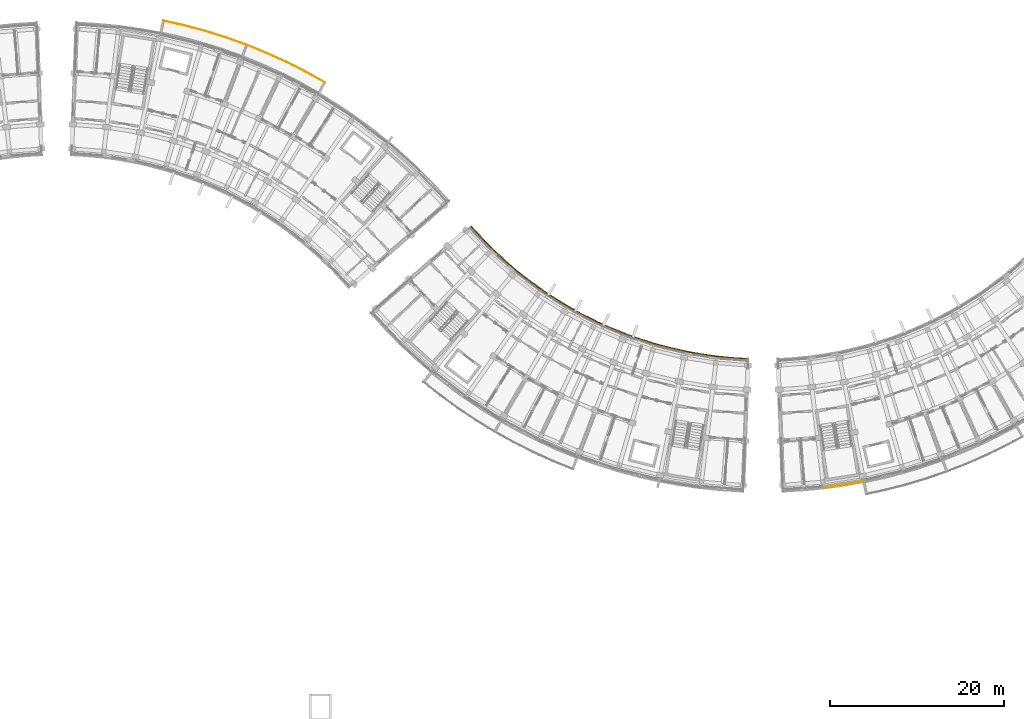
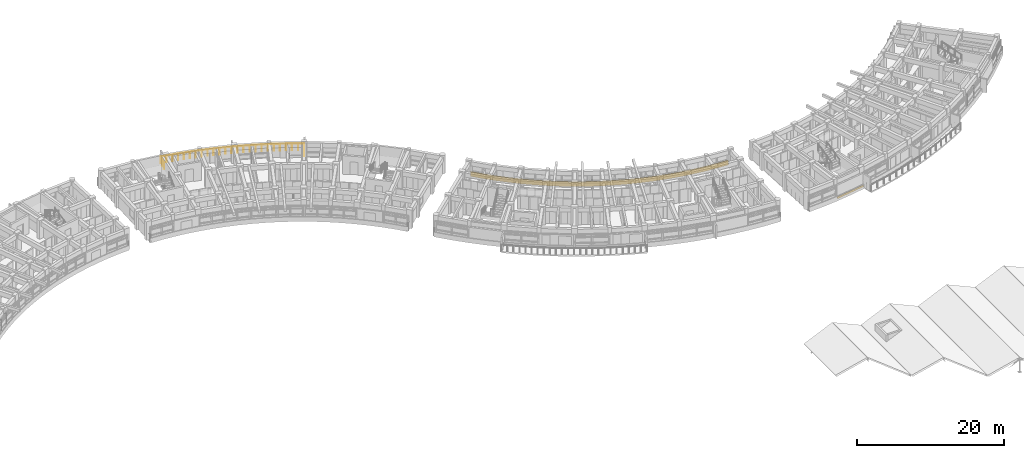
# One storey, part 67 of 70: 2 railings, 1 covering.
"""IFC4 building model written with IfcOpenShell, lengths in metres."""

from ifc_helpers import new_model, si_unit, direction, frame, origin, origin_2d, place, context, subcontext, project, spatial, polyline, rectangle, circle, outline, extrude, material, layer, layer_set, type_object, element, save


model = new_model("IFC4")

# Units and contexts
model_context = context("Model", 3, precision=1e-05, world=origin(), true_north=direction((0.0, 1.0)))
body_context = subcontext(model_context, "Body", "Model", "MODEL_VIEW")
ifc_project = project(units=[si_unit("LENGTHUNIT", "METRE"), si_unit("AREAUNIT", "SQUARE_METRE"), si_unit("VOLUMEUNIT", "CUBIC_METRE"), si_unit("PLANEANGLEUNIT", "RADIAN"), si_unit("MASSUNIT", "GRAM", prefix="KILO")], contexts=[model_context])

# Site, building, storey
site_placement = place(None, origin())
site = spatial("IfcSite", under=ifc_project, at=site_placement, CompositionType="ELEMENT")
building_placement = place(site_placement, origin())
building = spatial("IfcBuilding", under=site, at=building_placement, Name="Zimvara Arc Housing Community", CompositionType="ELEMENT")
storey_placement = place(building_placement, frame((0.0, 0.0, 8.10009765625)))
storey = spatial("IfcBuildingStorey", under=building, at=storey_placement, Name="L02", CompositionType="ELEMENT", Elevation=8.10009765625)

# Covering
ifc_material_1 = material(Name="Pale-Gold Anodised Aluminium Cladding", Category="aluminium")
ifc_layer = layer(ifc_material_1, 0.044921875)
ifc_layer_set = layer_set([ifc_layer], Name="Pale-Gold Anodised Aluminium Cladding")
covering_type = type_object("IfcCoveringType", Name="CLD-GOLD-02", PredefinedType="CLADDING", material=ifc_layer_set)
covering_placement = place(storey_placement, frame((135.232177734375, 51.11181640625, 0.009765625), z_axis=(0.0, 0.0, 1.0), x_axis=(0.987824479318, 0.155572484907, 0.0)))
element("IfcCovering", 1, at=covering_placement, inside=storey, type_object=covering_type, Name="cld:blkD:L02:out:b1", PredefinedType="CLADDING", context=body_context, shape_type="SweptSolid", body=[
    extrude(rectangle(XDim=4.5625, YDim=0.044921875, at=origin_2d()), origin(), (0.0, 0.0, 1.0), 0.300048828125),
])

# Railings
ifc_material_2 = material(Name="Anodised Aluminium AW-6063", Category="aluminium")
railing_type_1 = type_object("IfcRailingType", Name="RLG-BAL-1120", PredefinedType="BALUSTRADE", material=ifc_material_2)
railing_1_placement = place(storey_placement, frame((56.933349609375, 102.842041015625, 0.0)))
element("IfcRailing", 2, at=railing_1_placement, inside=storey, type_object=railing_type_1, Name="rlg:blkB:L02:bal_out_guard", PredefinedType="BALUSTRADE", context=body_context, shape_type="SweptSolid", body=[
    extrude(circle(Radius=0.02392578125, at=origin_2d()), frame((0.0, 0.0, 1.09619140625), z_axis=(0.200457825929, 0.979702332356, 0.0), x_axis=(-0.979702332356, 0.200457825929, 0.0)), (0.0, 0.0, 1.0), 1.469970703125),
    extrude(circle(Radius=0.02392578125, at=origin_2d()), frame((0.294677734375, 1.440185546875, 1.09619140625), z_axis=(0.975422665062, -0.220342062447, 0.0), x_axis=(0.220342062447, 0.975422665062, 0.0)), (0.0, 0.0, 1.0), 2.491943359375),
    extrude(circle(Radius=0.02392578125, at=origin_2d()), frame((2.725341796875, 0.89111328125, 1.09619140625), z_axis=(0.965604406451, -0.260015634611, 0.0), x_axis=(0.260015634611, 0.965604406451, 0.0)), (0.0, 0.0, 1.0), 2.491943359375),
    extrude(circle(Radius=0.02392578125, at=origin_2d()), frame((5.131591796875, 0.2431640625, 1.09619140625), z_axis=(0.95418488811, -0.299217645373, 0.0), x_axis=(0.299217645373, 0.95418488811, 0.0)), (0.0, 0.0, 1.0), 2.491943359375),
    extrude(circle(Radius=0.02392578125, at=origin_2d()), frame((7.50927734375, -0.50244140625, 1.09619140625), z_axis=(0.94118428576, -0.337893681856, 0.0), x_axis=(0.337893681856, 0.94118428576, 0.0)), (0.0, 0.0, 1.0), 2.491943359375),
    extrude(circle(Radius=0.02392578125, at=origin_2d()), frame((9.854736328125, -1.344482421875, 1.09619140625), z_axis=(0.926613832847, -0.37601436778, 0.0), x_axis=(0.37601436778, 0.926613832847, 0.0)), (0.0, 0.0, 1.0), 2.491943359375),
    extrude(circle(Radius=0.02392578125, at=origin_2d()), frame((12.163818359375, -2.281494140625, 1.09619140625), z_axis=(0.910443630497, -0.413633165604, 0.0), x_axis=(0.413633165604, 0.910443630497, 0.0)), (0.0, 0.0, 1.0), 2.491943359375),
    extrude(circle(Radius=0.02392578125, at=origin_2d()), frame((14.4326171875, -3.312255859375, 1.09619140625), z_axis=(0.892834384016, -0.450385127107, 0.0), x_axis=(0.450385127107, 0.892834384016, 0.0)), (0.0, 0.0, 1.0), 2.491943359375),
    extrude(circle(Radius=0.02392578125, at=origin_2d()), frame((16.657470703125, -4.4345703125, 1.09619140625), z_axis=(0.873653060707, -0.486549411178, 0.0), x_axis=(0.486549411178, 0.873653060707, 0.0)), (0.0, 0.0, 1.0), 2.491943359375),
    extrude(circle(Radius=0.02392578125, at=origin_2d()), frame((18.83447265625, -5.64697265625, 1.09619140625), z_axis=(-0.50427373705, -0.863543859987, 0.0), x_axis=(0.863543859987, -0.50427373705, 0.0)), (0.0, 0.0, 1.0), 1.469970703125),
    extrude(circle(Radius=0.02099609375, at=origin_2d()), origin(), (0.0, 0.0, 1.0), 1.072021484375),
    extrude(circle(Radius=0.02099609375, at=origin_2d()), frame((0.1474609375, 0.72021484375, 0.0)), (0.0, 0.0, 1.0), 1.072021484375),
    extrude(circle(Radius=0.02099609375, at=origin_2d()), frame((0.294677734375, 1.440185546875, 0.0)), (0.0, 0.0, 1.0), 1.072021484375),
    extrude(circle(Radius=0.02099609375, at=origin_2d()), frame((1.10498046875, 1.257080078125, 0.0)), (0.0, 0.0, 1.0), 1.072021484375),
    extrude(circle(Radius=0.02099609375, at=origin_2d()), frame((1.9150390625, 1.07421875, 0.0)), (0.0, 0.0, 1.0), 1.072021484375),
    extrude(circle(Radius=0.02099609375, at=origin_2d()), frame((2.725341796875, 0.89111328125, 0.0)), (0.0, 0.0, 1.0), 1.072021484375),
    extrude(circle(Radius=0.02099609375, at=origin_2d()), frame((3.52734375, 0.675048828125, 0.0)), (0.0, 0.0, 1.0), 1.072021484375),
    extrude(circle(Radius=0.02099609375, at=origin_2d()), frame((4.32958984375, 0.459228515625, 0.0)), (0.0, 0.0, 1.0), 1.072021484375),
    extrude(circle(Radius=0.02099609375, at=origin_2d()), frame((5.131591796875, 0.2431640625, 0.0)), (0.0, 0.0, 1.0), 1.072021484375),
    extrude(circle(Radius=0.02099609375, at=origin_2d()), frame((5.924072265625, -0.00537109375, 0.0)), (0.0, 0.0, 1.0), 1.072021484375),
    extrude(circle(Radius=0.02099609375, at=origin_2d()), frame((6.716796875, -0.25390625, 0.0)), (0.0, 0.0, 1.0), 1.072021484375),
    extrude(circle(Radius=0.02099609375, at=origin_2d()), frame((7.50927734375, -0.50244140625, 0.0)), (0.0, 0.0, 1.0), 1.072021484375),
    extrude(circle(Radius=0.02099609375, at=origin_2d()), frame((8.291015625, -0.783203125, 0.0)), (0.0, 0.0, 1.0), 1.072021484375),
    extrude(circle(Radius=0.02099609375, at=origin_2d()), frame((9.072998046875, -1.063720703125, 0.0)), (0.0, 0.0, 1.0), 1.072021484375),
    extrude(circle(Radius=0.02099609375, at=origin_2d()), frame((9.854736328125, -1.344482421875, 0.0)), (0.0, 0.0, 1.0), 1.072021484375),
    extrude(circle(Radius=0.02099609375, at=origin_2d()), frame((10.62451171875, -1.65673828125, 0.0)), (0.0, 0.0, 1.0), 1.072021484375),
    extrude(circle(Radius=0.02099609375, at=origin_2d()), frame((11.39404296875, -1.96923828125, 0.0)), (0.0, 0.0, 1.0), 1.072021484375),
    extrude(circle(Radius=0.02099609375, at=origin_2d()), frame((12.163818359375, -2.281494140625, 0.0)), (0.0, 0.0, 1.0), 1.072021484375),
    extrude(circle(Radius=0.02099609375, at=origin_2d()), frame((12.920166015625, -2.625, 0.0)), (0.0, 0.0, 1.0), 1.072021484375),
    extrude(circle(Radius=0.02099609375, at=origin_2d()), frame((13.67626953125, -2.96875, 0.0)), (0.0, 0.0, 1.0), 1.072021484375),
    extrude(circle(Radius=0.02099609375, at=origin_2d()), frame((14.4326171875, -3.312255859375, 0.0)), (0.0, 0.0, 1.0), 1.072021484375),
    extrude(circle(Radius=0.02099609375, at=origin_2d()), frame((15.17431640625, -3.686279296875, 0.0)), (0.0, 0.0, 1.0), 1.072021484375),
    extrude(circle(Radius=0.02099609375, at=origin_2d()), frame((15.915771484375, -4.060546875, 0.0)), (0.0, 0.0, 1.0), 1.072021484375),
    extrude(circle(Radius=0.02099609375, at=origin_2d()), frame((16.657470703125, -4.4345703125, 0.0)), (0.0, 0.0, 1.0), 1.072021484375),
    extrude(circle(Radius=0.02099609375, at=origin_2d()), frame((17.383056640625, -4.838623046875, 0.0)), (0.0, 0.0, 1.0), 1.072021484375),
    extrude(circle(Radius=0.02099609375, at=origin_2d()), frame((18.10888671875, -5.242919921875, 0.0)), (0.0, 0.0, 1.0), 1.072021484375),
    extrude(circle(Radius=0.02099609375, at=origin_2d()), frame((18.83447265625, -5.64697265625, 0.0)), (0.0, 0.0, 1.0), 1.072021484375),
    extrude(circle(Radius=0.02099609375, at=origin_2d()), frame((18.4638671875, -6.28173828125, 0.0)), (0.0, 0.0, 1.0), 1.072021484375),
    extrude(circle(Radius=0.02099609375, at=origin_2d()), frame((18.09326171875, -6.916259765625, 0.0)), (0.0, 0.0, 1.0), 1.072021484375),
])
ifc_material_3 = material(Name="Pale-Gold Anodised Aluminium AW-6063", Category="aluminium")
railing_type_2 = type_object("IfcRailingType", Name="RLG-FAS-780", PredefinedType="BALUSTRADE", material=ifc_material_3)
railing_2_placement = place(storey_placement, frame((0.0, 0.0, -0.22021484375)))
element("IfcRailing", 3, at=railing_2_placement, inside=storey, type_object=railing_type_2, Name="rlg:blkC:L02:gold_in", PredefinedType="BALUSTRADE", context=body_context, shape_type="SweptSolid", body=[
    extrude(outline(polyline([(92.440673828125, 80.704833984375), (93.6591796875, 79.359619140625), (94.931396484375, 78.0654296875), (96.25537109375, 76.82421875), (97.62890625, 75.63818359375), (99.0498046875, 74.50927734375), (100.515625, 73.439208984375), (102.02392578125, 72.4296875), (103.572265625, 71.48291015625), (105.15771484375, 70.60009765625), (106.778076171875, 69.782470703125), (108.430419921875, 69.031982421875), (110.112060546875, 68.349609375), (111.820068359375, 67.736328125), (113.5517578125, 67.193115234375), (115.30419921875, 66.721435546875), (117.074462890625, 66.321533203125), (118.859619140625, 65.994140625), (120.656494140625, 65.739990234375), (122.46240234375, 65.559326171875), (124.27392578125, 65.45263671875), (124.278564453125, 65.57275390625), (122.471923828125, 65.678955078125), (120.6708984375, 65.859130859375), (118.87890625, 66.112548828125), (117.0986328125, 66.43896484375), (115.3330078125, 66.837890625), (113.58544921875, 67.308349609375), (111.8583984375, 67.849853515625), (110.155029296875, 68.461669921875), (108.477783203125, 69.142333984375), (106.830078125, 69.890869140625), (105.214111328125, 70.7060546875), (103.6328125, 71.58642578125), (102.088623046875, 72.53076171875), (100.58447265625, 73.537353515625), (99.12255859375, 74.604736328125), (97.70556640625, 75.73046875), (96.335693359375, 76.91357421875), (95.01513671875, 78.1513671875), (93.746337890625, 79.442138671875), (92.53125, 80.783447265625), (92.440673828125, 80.704833984375)])), origin(), (0.0, 0.0, 1.0), 0.780029296875),
])

save(model, "model.ifc")
